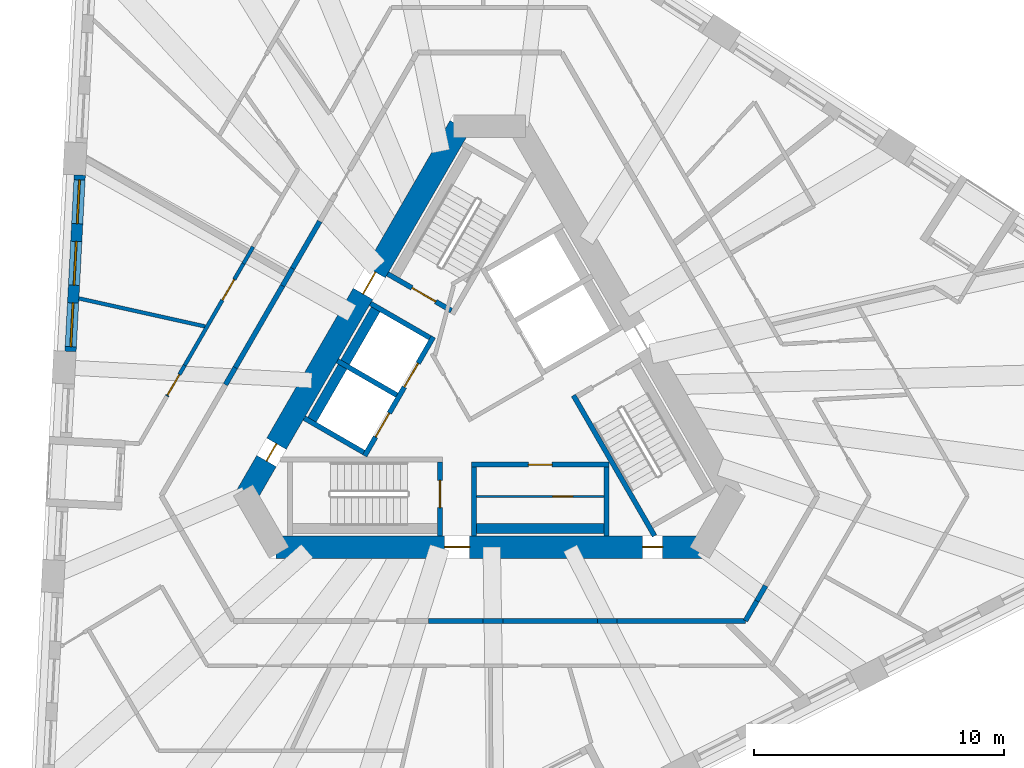
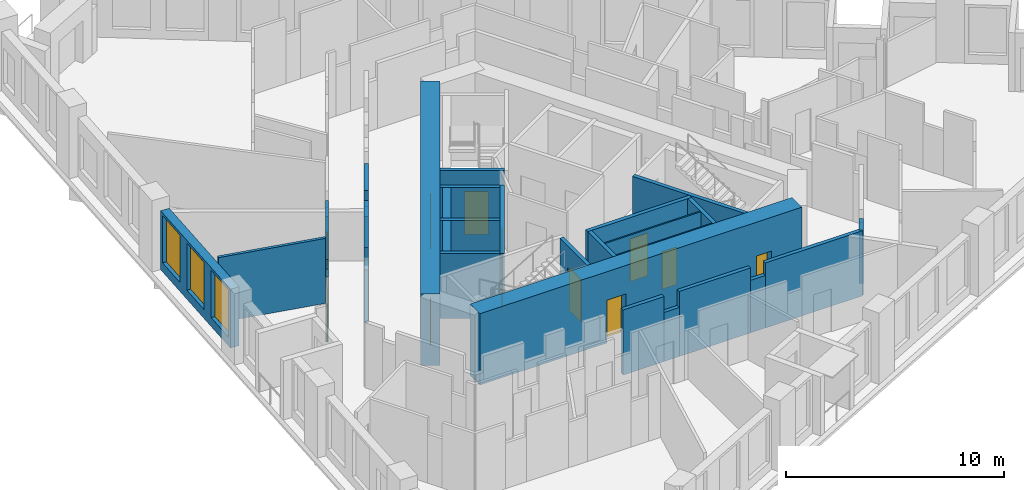
# One storey, part 4 of 13: 31 walls, 12 doors, 3 windows, 15 openings.
"""IFC4 building model written with IfcOpenShell, lengths in metres."""

from ifc_helpers import new_model, si_unit, direction, frame, frame_2d, origin, place, context, subcontext, project, spatial, polyline, rectangle, outline, extrude, material, layer, layer_set, type_object, element, fill, save


model = new_model("IFC4")

# Units and contexts
model_context = context("Model", 3, precision=1e-05, world=origin(), true_north=direction((0.0, 1.0)))
body_context = subcontext(model_context, "Body", "Model", "MODEL_VIEW")
ifc_project = project(units=[si_unit("LENGTHUNIT", "METRE"), si_unit("AREAUNIT", "SQUARE_METRE"), si_unit("VOLUMEUNIT", "CUBIC_METRE"), si_unit("PLANEANGLEUNIT", "RADIAN"), si_unit("MASSUNIT", "GRAM", prefix="KILO")], contexts=[model_context])

# Site, building, storey
site_placement = place(None, origin())
site = spatial("IfcSite", under=ifc_project, at=site_placement, CompositionType="ELEMENT")
building_placement = place(site_placement, origin())
building = spatial("IfcBuilding", under=site, at=building_placement, Name="Tramontana Tower", CompositionType="ELEMENT")
storey_placement = place(building_placement, frame((0.0, 0.0, 153.60009765625)))
storey = spatial("IfcBuildingStorey", under=building, at=storey_placement, Name="L35", CompositionType="ELEMENT", Elevation=153.60009765625)

# Wall, openings, doors
ifc_material_1 = material(Name="Concrete 70 MPa", Category="concrete")
ifc_layer_1 = layer(ifc_material_1, 0.89990234375)
ifc_layer_set_1 = layer_set([ifc_layer_1], Name="Core wall 900 70 MPa")
wall_type_1 = type_object("IfcWallType", Name="Core wall 900 70 MPa", PredefinedType="SHEAR", material=ifc_layer_set_1)
wall_1_placement = place(storey_placement, frame((-1.18359375, 10.550048828125, 0.0), z_axis=(0.0, 0.0, 1.0), x_axis=(-0.500004814304, -0.866022624227, 0.0)))
wall_1 = element("IfcWall", 1, at=wall_1_placement, inside=storey, type_object=wall_type_1, Name="Core wall C1 L35", PredefinedType="SHEAR", context=body_context, shape_type="SweptSolid", body=[
    extrude(rectangle(XDim=17.089599609375, YDim=0.89990234375, at=frame_2d((8.544921875, 0.0))), origin(), (0.0, 0.0, 1.0), 4.0),
])
opening_1_placement = place(wall_1_placement, frame((6.749755859375, 0.0, 0.0)))
opening_1 = element("IfcOpeningElement", 2, at=opening_1_placement, cuts=wall_1, Name="Opening RG1", PredefinedType="OPENING", context=body_context, shape_type="SweptSolid", body=[
    extrude(rectangle(XDim=1.0, YDim=2.39990234375, at=frame_2d((0.5, 1.199951171875))), frame((0.0, 0.4599609375, 0.0), z_axis=(0.0, -1.0, 0.0), x_axis=(1.0, 0.0, 0.0)), (0.0, 0.0, 1.0), 0.919921875),
])
opening_2_placement = place(wall_1_placement, frame((14.678466796875, 0.0, 0.0)))
opening_2 = element("IfcOpeningElement", 3, at=opening_2_placement, cuts=wall_1, Name="Opening PD1", PredefinedType="OPENING", context=body_context, shape_type="SweptSolid", body=[
    extrude(rectangle(XDim=0.800048828125, YDim=2.10009765625, at=frame_2d((0.39990234375, 1.050048828125))), frame((0.0, 0.4599609375, 0.0), z_axis=(0.0, -1.0, 0.0), x_axis=(1.0, 0.0, 0.0)), (0.0, 0.0, 1.0), 0.919921875),
])
ifc_material_2 = material(Name="Painted steel", Category="steel")
door_type_1 = type_object("IfcDoorType", Name="CUPBOARD DOOR 800", OperationType="SINGLE_SWING_LEFT", PredefinedType="DOOR", material=ifc_material_2)
door_1_placement = place(opening_2_placement, origin())
door_1 = element("IfcDoor", 4, at=door_1_placement, inside=storey, type_object=door_type_1, Name="Door PD1", OperationType="SINGLE_SWING_LEFT", OverallHeight=2.10009765625, OverallWidth=0.800048828125, PredefinedType="DOOR", context=body_context, shape_type="SweptSolid", body=[
    extrude(rectangle(XDim=0.800048828125, YDim=2.10009765625, at=frame_2d((0.39990234375, 1.050048828125))), frame((0.0, 0.02490234375, 0.0), z_axis=(0.0, -1.0, 0.0), x_axis=(1.0, 0.0, 0.0)), (0.0, 0.0, 1.0), 0.050048828125),
])
fill(opening_2, door_1)
ifc_material_3 = material(Name="Painted steel", Category="steel")
door_type_2 = type_object("IfcDoorType", Name="RING DOOR 1000", OperationType="SINGLE_SWING_LEFT", PredefinedType="DOOR", material=ifc_material_3)
door_2_placement = place(opening_1_placement, origin())
door_2 = element("IfcDoor", 5, at=door_2_placement, inside=storey, type_object=door_type_2, Name="Door RG1", OperationType="SINGLE_SWING_RIGHT", OverallHeight=2.39990234375, OverallWidth=1.0, PredefinedType="DOOR", context=body_context, shape_type="SweptSolid", body=[
    extrude(rectangle(XDim=1.0, YDim=2.39990234375, at=frame_2d((0.5, 1.199951171875))), frame((0.0, 0.02490234375, 0.0), z_axis=(0.0, -1.0, 0.0), x_axis=(1.0, 0.0, 0.0)), (0.0, 0.0, 1.0), 0.050048828125),
])
fill(opening_1, door_2)

wall_2_placement = place(storey_placement, frame((-8.544921875, -6.300048828125, 0.0), z_axis=(0.0, 0.0, 1.0), x_axis=(1.0, 0.0, 0.0)))
wall_2 = element("IfcWall", 6, at=wall_2_placement, inside=storey, type_object=wall_type_1, Name="Core wall C3 L35", PredefinedType="SHEAR", context=body_context, shape_type="SweptSolid", body=[
    extrude(rectangle(XDim=17.08984375, YDim=0.89990234375, at=frame_2d((8.544921875, 0.0))), origin(), (0.0, 0.0, 1.0), 4.0),
])
opening_3_placement = place(wall_2_placement, frame((6.749755859375, 0.0, 0.0)))
opening_3 = element("IfcOpeningElement", 7, at=opening_3_placement, cuts=wall_2, Name="Opening RG2", PredefinedType="OPENING", context=body_context, shape_type="SweptSolid", body=[
    extrude(rectangle(XDim=1.0, YDim=2.39990234375, at=frame_2d((0.5, 1.199951171875))), frame((0.0, 0.4599609375, 0.0), z_axis=(0.0, -1.0, 0.0), x_axis=(1.0, 0.0, 0.0)), (0.0, 0.0, 1.0), 0.919921875),
])
opening_4_placement = place(wall_2_placement, frame((14.678466796875, 0.0, 0.0)))
opening_4 = element("IfcOpeningElement", 8, at=opening_4_placement, cuts=wall_2, Name="Opening PD2", PredefinedType="OPENING", context=body_context, shape_type="SweptSolid", body=[
    extrude(rectangle(XDim=0.800048828125, YDim=2.10009765625, at=frame_2d((0.39990234375, 1.050048828125))), frame((0.0, 0.4599609375, 0.0), z_axis=(0.0, -1.0, 0.0), x_axis=(1.0, 0.0, 0.0)), (0.0, 0.0, 1.0), 0.919921875),
])
door_3_placement = place(opening_4_placement, origin())
door_3 = element("IfcDoor", 9, at=door_3_placement, inside=storey, type_object=door_type_1, Name="Door PD2", OperationType="SINGLE_SWING_RIGHT", OverallHeight=2.10009765625, OverallWidth=0.800048828125, PredefinedType="DOOR", context=body_context, shape_type="SweptSolid", body=[
    extrude(rectangle(XDim=0.800048828125, YDim=2.10009765625, at=frame_2d((0.39990234375, 1.050048828125))), frame((0.0, 0.02490234375, 0.0), z_axis=(0.0, -1.0, 0.0), x_axis=(1.0, 0.0, 0.0)), (0.0, 0.0, 1.0), 0.050048828125),
])
fill(opening_4, door_3)
door_4_placement = place(opening_3_placement, origin())
door_4 = element("IfcDoor", 10, at=door_4_placement, inside=storey, type_object=door_type_2, Name="Door RG2", OperationType="SINGLE_SWING_LEFT", OverallHeight=2.39990234375, OverallWidth=1.0, PredefinedType="DOOR", context=body_context, shape_type="SweptSolid", body=[
    extrude(rectangle(XDim=1.0, YDim=2.39990234375, at=frame_2d((0.5, 1.199951171875))), frame((0.0, 0.02490234375, 0.0), z_axis=(0.0, -1.0, 0.0), x_axis=(1.0, 0.0, 0.0)), (0.0, 0.0, 1.0), 0.050048828125),
])
fill(opening_3, door_4)

# Walls
ifc_material_4 = material(Name="Blockwork", Category="masonry")
ifc_layer_2 = layer(ifc_material_4, 0.199951171875)
ifc_layer_set_2 = layer_set([ifc_layer_2], Name="ENTRY WALL 200")
wall_type_2 = type_object("IfcWallType", Name="ENTRY WALL 200", PredefinedType="SOLIDWALL", material=ifc_layer_set_2)
wall_3_placement = place(storey_placement, frame((11.056884765625, -7.848876953125, 0.0), z_axis=(0.0, 0.0, 1.0), x_axis=(-0.500012199891, -0.86601836006, 0.0)))
element("IfcWall", 11, at=wall_3_placement, inside=storey, type_object=wall_type_2, Name="Wall v32-ew1-2", PredefinedType="SOLIDWALL", context=body_context, shape_type="SweptSolid", body=[
    extrude(rectangle(XDim=0.705078125, YDim=0.199951171875, at=frame_2d((0.3525390625, 0.0))), origin(), (0.0, 0.0, 1.0), 2.949951171875),
])
wall_4_placement = place(storey_placement, frame((10.704345703125, -8.45947265625, 0.0), z_axis=(0.0, 0.0, 1.0), x_axis=(-0.499907684424, -0.866078695647, 0.0)))
element("IfcWall", 12, at=wall_4_placement, inside=storey, type_object=wall_type_2, Name="Wall v32-ew1-3", PredefinedType="SOLIDWALL", context=body_context, shape_type="SweptSolid", body=[
    extrude(rectangle(XDim=0.912841796875, YDim=0.199951171875, at=frame_2d((0.45654296875, 0.0))), origin(), (0.0, 0.0, 1.0), 3.64990234375),
])
wall_5_placement = place(storey_placement, frame((10.248046875, -9.25, 0.0), z_axis=(0.0, 0.0, 1.0), x_axis=(-1.0, 0.0, 0.0)))
element("IfcWall", 13, at=wall_5_placement, inside=storey, type_object=wall_type_2, Name="Wall v32-ew2-0", PredefinedType="SOLIDWALL", context=body_context, shape_type="SweptSolid", body=[
    extrude(rectangle(XDim=5.14208984375, YDim=0.199951171875, at=frame_2d((2.571044921875, 0.0))), origin(), (0.0, 0.0, 1.0), 3.64990234375),
])
wall_6_placement = place(storey_placement, frame((5.10595703125, -9.25, 0.0), z_axis=(0.0, 0.0, 1.0), x_axis=(-1.0, 0.0, 0.0)))
element("IfcWall", 14, at=wall_6_placement, inside=storey, type_object=wall_type_2, Name="Wall v32-ew2-1", PredefinedType="SOLIDWALL", context=body_context, shape_type="SweptSolid", body=[
    extrude(rectangle(XDim=0.78564453125, YDim=0.199951171875, at=frame_2d((0.392822265625, 0.0))), origin(), (0.0, 0.0, 1.0), 2.949951171875),
])
wall_7_placement = place(storey_placement, frame((4.3203125, -9.25, 0.0), z_axis=(0.0, 0.0, 1.0), x_axis=(-1.0, 0.0, 0.0)))
element("IfcWall", 15, at=wall_7_placement, inside=storey, type_object=wall_type_2, Name="Wall v32-ew2-2", PredefinedType="SOLIDWALL", context=body_context, shape_type="SweptSolid", body=[
    extrude(rectangle(XDim=3.783203125, YDim=0.199951171875, at=frame_2d((1.8916015625, 0.0))), origin(), (0.0, 0.0, 1.0), 3.64990234375),
])
wall_8_placement = place(storey_placement, frame((0.537109375, -9.25, 0.0), z_axis=(0.0, 0.0, 1.0), x_axis=(-1.0, 0.0, 0.0)))
element("IfcWall", 16, at=wall_8_placement, inside=storey, type_object=wall_type_2, Name="Wall v32-ew2-3", PredefinedType="SOLIDWALL", context=body_context, shape_type="SweptSolid", body=[
    extrude(rectangle(XDim=0.800048828125, YDim=0.199951171875, at=frame_2d((0.39990234375, 0.0))), origin(), (0.0, 0.0, 1.0), 2.75),
])
wall_9_placement = place(storey_placement, frame((-0.262939453125, -9.25, 0.0), z_axis=(0.0, 0.0, 1.0), x_axis=(-1.0, 0.0, 0.0)))
element("IfcWall", 17, at=wall_9_placement, inside=storey, type_object=wall_type_2, Name="Wall v32-ew2-4", PredefinedType="SOLIDWALL", context=body_context, shape_type="SweptSolid", body=[
    extrude(rectangle(XDim=2.17822265625, YDim=0.199951171875, at=frame_2d((1.089111328125, 0.0))), origin(), (0.0, 0.0, 1.0), 3.64990234375),
])
wall_10_placement = place(storey_placement, frame((-10.563720703125, 0.203125, 0.0), z_axis=(0.0, 0.0, 1.0), x_axis=(0.499982474044, 0.866035522163, 0.0)))
element("IfcWall", 18, at=wall_10_placement, inside=storey, type_object=wall_type_2, Name="Wall v32-ew4-1", PredefinedType="SOLIDWALL", context=body_context, shape_type="SweptSolid", body=[
    extrude(rectangle(XDim=0.78564453125, YDim=0.199951171875, at=frame_2d((0.392822265625, 0.0))), origin(), (0.0, 0.0, 1.0), 2.949951171875),
])
wall_11_placement = place(storey_placement, frame((-10.1708984375, 0.883544921875, 0.0), z_axis=(0.0, 0.0, 1.0), x_axis=(0.499998034377, 0.866026538634, 0.0)))
element("IfcWall", 19, at=wall_11_placement, inside=storey, type_object=wall_type_2, Name="Wall v32-ew4-2", PredefinedType="SOLIDWALL", context=body_context, shape_type="SweptSolid", body=[
    extrude(rectangle(XDim=3.783203125, YDim=0.199951171875, at=frame_2d((1.8916015625, 0.0))), origin(), (0.0, 0.0, 1.0), 3.64990234375),
])
wall_12_placement = place(storey_placement, frame((-8.279296875, 4.159912109375, 0.0), z_axis=(0.0, 0.0, 1.0), x_axis=(0.500109828528, 0.865961984968, 0.0)))
element("IfcWall", 20, at=wall_12_placement, inside=storey, type_object=wall_type_2, Name="Wall v32-ew4-3", PredefinedType="SOLIDWALL", context=body_context, shape_type="SweptSolid", body=[
    extrude(rectangle(XDim=0.800048828125, YDim=0.199951171875, at=frame_2d((0.39990234375, 0.0))), origin(), (0.0, 0.0, 1.0), 2.75),
])
wall_13_placement = place(storey_placement, frame((-7.879150390625, 4.852783203125, 0.0), z_axis=(0.0, 0.0, 1.0), x_axis=(0.499948868167, 0.866054922749, 0.0)))
element("IfcWall", 21, at=wall_13_placement, inside=storey, type_object=wall_type_2, Name="Wall v32-ew4-4", PredefinedType="SOLIDWALL", context=body_context, shape_type="SweptSolid", body=[
    extrude(rectangle(XDim=2.177978515625, YDim=0.199951171875, at=frame_2d((1.0888671875, 0.0))), origin(), (0.0, 0.0, 1.0), 3.64990234375),
])

# Wall, openings, windows
ifc_material_5 = material(Name="Precast concrete 60 MPa", Category="concrete")
ifc_layer_3 = layer(ifc_material_5, 0.449951171875)
ifc_layer_set_3 = layer_set([ifc_layer_3], Name="Precast concrete 60 MPa, 450 mm")
wall_type_3 = type_object("IfcWallType", Name="EW1 Stone-faced precast wall 450", PredefinedType="SOLIDWALL", material=ifc_layer_set_3)
wall_14_placement = place(storey_placement, frame((-16.397705078125, 8.591552734375, 0.0), z_axis=(0.0, 0.0, 1.0), x_axis=(-0.052337766399, -0.998629439887, 0.0)))
wall_14 = element("IfcWall", 22, at=wall_14_placement, inside=storey, type_object=wall_type_3, Name="External wall L35 face 0 bay 3", PredefinedType="SOLIDWALL", context=body_context, shape_type="SweptSolid", body=[
    extrude(rectangle(XDim=7.07177734375, YDim=0.449951171875, at=frame_2d((3.535888671875, 0.0))), origin(), (0.0, 0.0, 1.0), 3.2998046875),
])
opening_5_placement = place(wall_14_placement, frame((0.1953125, 0.0, 0.5)))
opening_5 = element("IfcOpeningElement", 23, at=opening_5_placement, cuts=wall_14, Name="Opening M2", PredefinedType="OPENING", context=body_context, shape_type="SweptSolid", body=[
    extrude(rectangle(XDim=1.75, YDim=2.64990234375, at=frame_2d((0.875, 1.324951171875))), frame((0.0, 0.23486328125, 0.0), z_axis=(0.0, -1.0, 0.0), x_axis=(1.0, 0.0, 0.0)), (0.0, 0.0, 1.0), 0.469970703125),
])
opening_6_placement = place(wall_14_placement, frame((2.660888671875, 0.0, 0.5)))
opening_6 = element("IfcOpeningElement", 24, at=opening_6_placement, cuts=wall_14, Name="Opening M2", PredefinedType="OPENING", context=body_context, shape_type="SweptSolid", body=[
    extrude(rectangle(XDim=1.75, YDim=2.64990234375, at=frame_2d((0.875, 1.324951171875))), frame((0.0, 0.23486328125, 0.0), z_axis=(0.0, -1.0, 0.0), x_axis=(1.0, 0.0, 0.0)), (0.0, 0.0, 1.0), 0.469970703125),
])
opening_7_placement = place(wall_14_placement, frame((5.126220703125, 0.0, 0.5)))
opening_7 = element("IfcOpeningElement", 25, at=opening_7_placement, cuts=wall_14, Name="Opening M2", PredefinedType="OPENING", context=body_context, shape_type="SweptSolid", body=[
    extrude(rectangle(XDim=1.75, YDim=2.64990234375, at=frame_2d((0.875, 1.324951171875))), frame((0.0, 0.23486328125, 0.0), z_axis=(0.0, -1.0, 0.0), x_axis=(1.0, 0.0, 0.0)), (0.0, 0.0, 1.0), 0.469970703125),
])
ifc_material_6 = material(Name="Aluminum frame, double glazing unit", Category="aluminium")
window_type = type_object("IfcWindowType", Name="M2 Window 1.75 x 2.65", PartitioningType="SINGLE_PANEL", PredefinedType="WINDOW", material=ifc_material_6)
window_1_placement = place(opening_5_placement, origin())
window_1 = element("IfcWindow", 26, at=window_1_placement, inside=storey, type_object=window_type, Name="Window M2 L35 face 0 module 7", OverallHeight=2.64990234375, OverallWidth=1.75, PartitioningType="SINGLE_PANEL", PredefinedType="WINDOW", context=body_context, shape_type="SweptSolid", body=[
    extrude(rectangle(XDim=1.75, YDim=2.64990234375, at=frame_2d((0.875, 1.324951171875))), frame((0.0, 0.030029296875, 0.0), z_axis=(0.0, -1.0, 0.0), x_axis=(1.0, 0.0, 0.0)), (0.0, 0.0, 1.0), 0.06005859375),
])
fill(opening_5, window_1)
window_2_placement = place(opening_6_placement, origin())
window_2 = element("IfcWindow", 27, at=window_2_placement, inside=storey, type_object=window_type, Name="Window M2 L35 face 0 module 8", OverallHeight=2.64990234375, OverallWidth=1.75, PartitioningType="SINGLE_PANEL", PredefinedType="WINDOW", context=body_context, shape_type="SweptSolid", body=[
    extrude(rectangle(XDim=1.75, YDim=2.64990234375, at=frame_2d((0.875, 1.324951171875))), frame((0.0, 0.030029296875, 0.0), z_axis=(0.0, -1.0, 0.0), x_axis=(1.0, 0.0, 0.0)), (0.0, 0.0, 1.0), 0.06005859375),
])
fill(opening_6, window_2)
window_3_placement = place(opening_7_placement, origin())
window_3 = element("IfcWindow", 28, at=window_3_placement, inside=storey, type_object=window_type, Name="Window M2 L35 face 0 module 9", OverallHeight=2.64990234375, OverallWidth=1.75, PartitioningType="SINGLE_PANEL", PredefinedType="WINDOW", context=body_context, shape_type="SweptSolid", body=[
    extrude(rectangle(XDim=1.75, YDim=2.64990234375, at=frame_2d((0.875, 1.324951171875))), frame((0.0, 0.030029296875, 0.0), z_axis=(0.0, -1.0, 0.0), x_axis=(1.0, 0.0, 0.0)), (0.0, 0.0, 1.0), 0.06005859375),
])
fill(opening_7, window_3)

# Wall
ifc_material_7 = material(Name="Gypsum board partition")
ifc_layer_4 = layer(ifc_material_7, 0.14990234375)
ifc_layer_set_4 = layer_set([ifc_layer_4], Name="PARTITION 150")
wall_type_4 = type_object("IfcWallType", Name="PARTITION 150", PredefinedType="PARTITIONING", material=ifc_layer_set_4)
wall_15_placement = place(storey_placement, frame((-16.43115234375, 3.655517578125, 0.0), z_axis=(0.0, 0.0, 1.0), x_axis=(0.976139265243, -0.217145423278, 0.0)))
element("IfcWall", 29, at=wall_15_placement, inside=storey, type_object=wall_type_4, Name="Wall v32-pw00", PredefinedType="PARTITIONING", context=body_context, shape_type="SweptSolid", body=[
    extrude(rectangle(XDim=5.170654296875, YDim=0.14990234375, at=frame_2d((2.58544921875, 0.0))), origin(), (0.0, 0.0, 1.0), 3.64990234375),
])

# Wall, opening, door
wall_16_placement = place(storey_placement, frame((-12.908447265625, -0.258056640625, 0.0), z_axis=(0.0, 0.0, 1.0), x_axis=(0.500023749849, 0.866011691368, 0.0)))
wall_16 = element("IfcWall", 30, at=wall_16_placement, inside=storey, type_object=wall_type_4, Name="Wall v32-pw02-1", PredefinedType="PARTITIONING", context=body_context, shape_type="SweptSolid", body=[
    extrude(outline(polyline([(0.0, 0.0), (1.42626953125, 0.0), (1.426025390625, 2.949951171875), (0.66845703125, 2.949951171875), (0.66845703125, 3.64990234375), (0.0, 3.64990234375), (0.0, 0.0)])), frame((0.0, 0.074951171875, 0.0), z_axis=(0.0, -1.0, 0.0), x_axis=(1.0, 0.0, 0.0)), (0.0, 0.0, 1.0), 0.14990234375),
])
opening_8_placement = place(wall_16_placement, frame((0.050048828125, 0.0, 0.0)))
opening_8 = element("IfcOpeningElement", 31, at=opening_8_placement, cuts=wall_16, Name="Opening B3C-10", PredefinedType="OPENING", context=body_context, shape_type="SweptSolid", body=[
    extrude(rectangle(XDim=0.949951171875, YDim=2.39990234375, at=frame_2d((0.47509765625, 1.199951171875))), frame((0.0, 0.0849609375, 0.0), z_axis=(0.0, -1.0, 0.0), x_axis=(1.0, 0.0, 0.0)), (0.0, 0.0, 1.0), 0.169921875),
])
ifc_material_8 = material(Name="Painted timber", Category="wood")
door_type_3 = type_object("IfcDoorType", Name="DOOR ROOM 950", OperationType="SINGLE_SWING_LEFT", PredefinedType="DOOR", material=ifc_material_8)
door_5_placement = place(opening_8_placement, origin())
door_5 = element("IfcDoor", 32, at=door_5_placement, inside=storey, type_object=door_type_3, Name="Door B3C-10", OperationType="SINGLE_SWING_RIGHT", OverallHeight=2.39990234375, OverallWidth=0.949951171875, PredefinedType="DOOR", context=body_context, shape_type="SweptSolid", body=[
    extrude(rectangle(XDim=0.949951171875, YDim=2.39990234375, at=frame_2d((0.47509765625, 1.199951171875))), frame((0.0, 0.02490234375, 0.0), z_axis=(0.0, -1.0, 0.0), x_axis=(1.0, 0.0, 0.0)), (0.0, 0.0, 1.0), 0.050048828125),
])
fill(opening_8, door_5)

wall_17_placement = place(storey_placement, frame((-12.1953125, 0.97705078125, 0.0), z_axis=(0.0, 0.0, 1.0), x_axis=(0.499993726502, 0.86602902576, 0.0)))
wall_17 = element("IfcWall", 33, at=wall_17_placement, inside=storey, type_object=wall_type_4, Name="Wall v32-pw02-2", PredefinedType="PARTITIONING", context=body_context, shape_type="SweptSolid", body=[
    extrude(rectangle(XDim=4.7001953125, YDim=0.14990234375, at=frame_2d((2.35009765625, 0.0))), origin(), (0.0, 0.0, 1.0), 3.64990234375),
])
opening_9_placement = place(wall_17_placement, frame((3.014404296875, 0.0, 0.0)))
opening_9 = element("IfcOpeningElement", 34, at=opening_9_placement, cuts=wall_17, Name="Opening B3C-11", PredefinedType="OPENING", context=body_context, shape_type="SweptSolid", body=[
    extrude(rectangle(XDim=0.949951171875, YDim=2.39990234375, at=frame_2d((0.47509765625, 1.199951171875))), frame((0.0, 0.0849609375, 0.0), z_axis=(0.0, -1.0, 0.0), x_axis=(1.0, 0.0, 0.0)), (0.0, 0.0, 1.0), 0.169921875),
])
door_6_placement = place(opening_9_placement, origin())
door_6 = element("IfcDoor", 35, at=door_6_placement, inside=storey, type_object=door_type_3, Name="Door B3C-11", OperationType="SINGLE_SWING_LEFT", OverallHeight=2.39990234375, OverallWidth=0.949951171875, PredefinedType="DOOR", context=body_context, shape_type="SweptSolid", body=[
    extrude(rectangle(XDim=0.949951171875, YDim=2.39990234375, at=frame_2d((0.47509765625, 1.199951171875))), frame((0.0, 0.02490234375, 0.0), z_axis=(0.0, -1.0, 0.0), x_axis=(1.0, 0.0, 0.0)), (0.0, 0.0, 1.0), 0.050048828125),
])
fill(opening_9, door_6)

# Wall
wall_18_placement = place(storey_placement, frame((-9.84521484375, 5.047607421875, 0.0), z_axis=(0.0, 0.0, 1.0), x_axis=(0.499967891604, 0.866043940782, 0.0)))
element("IfcWall", 36, at=wall_18_placement, inside=storey, type_object=wall_type_4, Name="Wall v32-pw02-3", PredefinedType="PARTITIONING", context=body_context, shape_type="SweptSolid", body=[
    extrude(rectangle(XDim=0.77490234375, YDim=0.14990234375, at=frame_2d((0.387451171875, 0.0))), origin(), (0.0, 0.0, 1.0), 2.75),
])

# Wall, opening, door
ifc_material_9 = material(Name="Gypsum board partition")
ifc_layer_5 = layer(ifc_material_9, 0.080078125)
ifc_layer_set_5 = layer_set([ifc_layer_5], Name="PARTITION 80")
wall_type_5 = type_object("IfcWallType", Name="PARTITION 80", PredefinedType="PARTITIONING", material=ifc_layer_set_5)
wall_19_placement = place(storey_placement, frame((4.590087890625, -4.27490234375, 0.0), z_axis=(0.0, 0.0, 1.0), x_axis=(-1.0, 0.0, 0.0)))
wall_19 = element("IfcWall", 37, at=wall_19_placement, inside=storey, type_object=wall_type_5, Name="Wall row1-split", PredefinedType="PARTITIONING", context=body_context, shape_type="SweptSolid", body=[
    extrude(rectangle(XDim=5.10009765625, YDim=0.080078125, at=frame_2d((2.550048828125, 0.0))), origin(), (0.0, 0.0, 1.0), 3.64990234375),
])
opening_10_placement = place(wall_19_placement, frame((1.25, 0.0, 0.0)))
opening_10 = element("IfcOpeningElement", 38, at=opening_10_placement, cuts=wall_19, Name="Opening RD-1B", PredefinedType="OPENING", context=body_context, shape_type="SweptSolid", body=[
    extrude(rectangle(XDim=0.800048828125, YDim=2.10009765625, at=frame_2d((0.39990234375, 1.050048828125))), frame((0.0, 0.050048828125, 0.0), z_axis=(0.0, -1.0, 0.0), x_axis=(1.0, 0.0, 0.0)), (0.0, 0.0, 1.0), 0.10009765625),
])
door_7_placement = place(opening_10_placement, origin())
door_7 = element("IfcDoor", 39, at=door_7_placement, inside=storey, type_object=door_type_1, Name="Door RD-1B", OperationType="SINGLE_SWING_RIGHT", OverallHeight=2.10009765625, OverallWidth=0.800048828125, PredefinedType="DOOR", context=body_context, shape_type="SweptSolid", body=[
    extrude(rectangle(XDim=0.800048828125, YDim=2.10009765625, at=frame_2d((0.39990234375, 1.050048828125))), frame((0.0, 0.02490234375, 0.0), z_axis=(0.0, -1.0, 0.0), x_axis=(1.0, 0.0, 0.0)), (0.0, 0.0, 1.0), 0.050048828125),
])
fill(opening_10, door_7)

# Walls
ifc_material_10 = material(Name="Concrete 70 MPa", Category="concrete")
ifc_layer_6 = layer(ifc_material_10, 0.39990234375)
ifc_layer_set_6 = layer_set([ifc_layer_6], Name="Concrete 70 MPa, 400 mm")
wall_type_6 = type_object("IfcWallType", Name="RC SHAFT BACK WALL 400", PredefinedType="SOLIDWALL", material=ifc_layer_set_6)
for number, where, z_axis, x_axis, name in (
    (40, (-4.451416015625, 3.389892578125, 0.0), (0.0, 0.0, 1.0), (-0.499996545922, -0.866027397988, 0.0), "Wall row0-back"),
    (41, (-0.7099609375, -5.550048828125, 0.0), (0.0, 0.0, 1.0), (1.0, 0.0, 0.0), "Wall row1-back"),
):
    element("IfcWall", number, at=place(storey_placement, frame(where, z_axis=z_axis, x_axis=x_axis)), inside=storey, type_object=wall_type_6, Name=name, PredefinedType="SOLIDWALL", context=body_context, shape_type="SweptSolid", body=[
        extrude(rectangle(XDim=5.5, YDim=0.39990234375, at=frame_2d((2.75, 0.0))), origin(), (0.0, 0.0, 1.0), 3.64990234375),
    ])

# Wall, opening, door
ifc_material_11 = material(Name="Concrete 70 MPa", Category="concrete")
ifc_layer_7 = layer(ifc_material_11, 0.199951171875)
ifc_layer_set_7 = layer_set([ifc_layer_7], Name="Concrete 70 MPa, 200 mm")
wall_type_7 = type_object("IfcWallType", Name="RC STAIR AND SHAFT WALL 200", PredefinedType="SOLIDWALL", material=ifc_layer_set_7)
wall_20_placement = place(storey_placement, frame((-1.521484375, 3.164794921875, 0.0), z_axis=(0.0, 0.0, 1.0), x_axis=(-0.866039495442, 0.49997559174, 0.0)))
wall_20 = element("IfcWall", 42, at=wall_20_placement, inside=storey, type_object=wall_type_7, Name="Wall st1-near", PredefinedType="SOLIDWALL", context=body_context, shape_type="SweptSolid", body=[
    extrude(rectangle(XDim=2.949951171875, YDim=0.199951171875, at=frame_2d((1.47509765625, 0.0))), origin(), (0.0, 0.0, 1.0), 3.64990234375),
])
opening_11_placement = place(wall_20_placement, frame((0.72509765625, 0.0, 0.0)))
opening_11 = element("IfcOpeningElement", 43, at=opening_11_placement, cuts=wall_20, Name="Opening SD1", PredefinedType="OPENING", context=body_context, shape_type="SweptSolid", body=[
    extrude(rectangle(XDim=1.10009765625, YDim=2.39990234375, at=frame_2d((0.550048828125, 1.199951171875))), frame((0.0, 0.10986328125, 0.0), z_axis=(0.0, -1.0, 0.0), x_axis=(1.0, 0.0, 0.0)), (0.0, 0.0, 1.0), 0.219970703125),
])
ifc_material_12 = material(Name="Painted steel", Category="steel")
door_type_4 = type_object("IfcDoorType", Name="STAIR DOOR 1100", OperationType="SINGLE_SWING_LEFT", PredefinedType="DOOR", material=ifc_material_12)
door_8_placement = place(opening_11_placement, origin())
door_8 = element("IfcDoor", 44, at=door_8_placement, inside=storey, type_object=door_type_4, Name="Door SD1", OperationType="SINGLE_SWING_RIGHT", OverallHeight=2.39990234375, OverallWidth=1.10009765625, PredefinedType="DOOR", context=body_context, shape_type="SweptSolid", body=[
    extrude(rectangle(XDim=1.10009765625, YDim=2.39990234375, at=frame_2d((0.550048828125, 1.199951171875))), frame((0.0, 0.02490234375, 0.0), z_axis=(0.0, -1.0, 0.0), x_axis=(1.0, 0.0, 0.0)), (0.0, 0.0, 1.0), 0.050048828125),
])
fill(opening_11, door_8)

wall_21_placement = place(storey_placement, frame((-1.97998046875, -2.89990234375, 0.0), z_axis=(0.0, 0.0, 1.0), x_axis=(0.0, -1.0, 0.0)))
wall_21 = element("IfcWall", 45, at=wall_21_placement, inside=storey, type_object=wall_type_7, Name="Wall st2-near", PredefinedType="SOLIDWALL", context=body_context, shape_type="SweptSolid", body=[
    extrude(rectangle(XDim=2.9501953125, YDim=0.199951171875, at=frame_2d((1.47509765625, 0.0))), origin(), (0.0, 0.0, 1.0), 3.64990234375),
])
opening_12_placement = place(wall_21_placement, frame((0.72509765625, 0.0, 0.0)))
opening_12 = element("IfcOpeningElement", 46, at=opening_12_placement, cuts=wall_21, Name="Opening SD2", PredefinedType="OPENING", context=body_context, shape_type="SweptSolid", body=[
    extrude(rectangle(XDim=1.10009765625, YDim=2.39990234375, at=frame_2d((0.550048828125, 1.199951171875))), frame((0.0, 0.10986328125, 0.0), z_axis=(0.0, -1.0, 0.0), x_axis=(1.0, 0.0, 0.0)), (0.0, 0.0, 1.0), 0.219970703125),
])
door_9_placement = place(opening_12_placement, origin())
door_9 = element("IfcDoor", 47, at=door_9_placement, inside=storey, type_object=door_type_4, Name="Door SD2", OperationType="SINGLE_SWING_LEFT", OverallHeight=2.39990234375, OverallWidth=1.10009765625, PredefinedType="DOOR", context=body_context, shape_type="SweptSolid", body=[
    extrude(rectangle(XDim=1.10009765625, YDim=2.39990234375, at=frame_2d((0.550048828125, 1.199951171875))), frame((0.0, 0.02490234375, 0.0), z_axis=(0.0, -1.0, 0.0), x_axis=(1.0, 0.0, 0.0)), (0.0, 0.0, 1.0), 0.050048828125),
])
fill(opening_12, door_9)

# Wall
wall_22_placement = place(storey_placement, frame((6.610595703125, -5.85009765625, 0.0), z_axis=(0.0, 0.0, 1.0), x_axis=(-0.499965531574, 0.866045303225, 0.0)))
element("IfcWall", 48, at=wall_22_placement, inside=storey, type_object=wall_type_7, Name="Wall st3-front", PredefinedType="SOLIDWALL", context=body_context, shape_type="SweptSolid", body=[
    extrude(rectangle(XDim=6.49169921875, YDim=0.199951171875, at=frame_2d((3.245849609375, 0.0))), origin(), (0.0, 0.0, 1.0), 3.64990234375),
])

# Wall, openings, doors
wall_23_placement = place(storey_placement, frame((-2.2431640625, 2.114990234375, 0.0), z_axis=(0.0, 0.0, 1.0), x_axis=(-0.499996545922, -0.866027397988, 0.0)))
wall_23 = element("IfcWall", 49, at=wall_23_placement, inside=storey, type_object=wall_type_7, Name="Wall row0-front", PredefinedType="SOLIDWALL", context=body_context, shape_type="SweptSolid", body=[
    extrude(rectangle(XDim=5.5, YDim=0.199951171875, at=frame_2d((2.75, 0.0))), origin(), (0.0, 0.0, 1.0), 3.64990234375),
])
opening_13_placement = place(wall_23_placement, frame((1.219970703125, 0.0, 0.0)))
opening_13 = element("IfcOpeningElement", 50, at=opening_13_placement, cuts=wall_23, Name="Opening LD-P1", PredefinedType="OPENING", context=body_context, shape_type="SweptSolid", body=[
    extrude(rectangle(XDim=1.10009765625, YDim=2.10009765625, at=frame_2d((0.550048828125, 1.050048828125))), frame((0.0, 0.10986328125, 0.0), z_axis=(0.0, -1.0, 0.0), x_axis=(1.0, 0.0, 0.0)), (0.0, 0.0, 1.0), 0.219970703125),
])
opening_14_placement = place(wall_23_placement, frame((3.52490234375, 0.0, 0.0)))
opening_14 = element("IfcOpeningElement", 51, at=opening_14_placement, cuts=wall_23, Name="Opening LD-P2", PredefinedType="OPENING", context=body_context, shape_type="SweptSolid", body=[
    extrude(rectangle(XDim=1.10009765625, YDim=2.10009765625, at=frame_2d((0.550048828125, 1.050048828125))), frame((0.0, 0.10986328125, 0.0), z_axis=(0.0, -1.0, 0.0), x_axis=(1.0, 0.0, 0.0)), (0.0, 0.0, 1.0), 0.219970703125),
])
ifc_material_13 = material(Name="Brushed steel", Category="steel")
door_type_5 = type_object("IfcDoorType", Name="LANDING DOOR 1100", OperationType="SINGLE_SWING_LEFT", PredefinedType="DOOR", material=ifc_material_13)
door_10_placement = place(opening_13_placement, origin())
door_10 = element("IfcDoor", 52, at=door_10_placement, inside=storey, type_object=door_type_5, Name="Door LD-P1", OperationType="SLIDING_TO_LEFT", OverallHeight=2.10009765625, OverallWidth=1.10009765625, PredefinedType="DOOR", context=body_context, shape_type="SweptSolid", body=[
    extrude(rectangle(XDim=1.10009765625, YDim=2.10009765625, at=frame_2d((0.550048828125, 1.050048828125))), frame((0.0, 0.02490234375, 0.0), z_axis=(0.0, -1.0, 0.0), x_axis=(1.0, 0.0, 0.0)), (0.0, 0.0, 1.0), 0.050048828125),
])
fill(opening_13, door_10)
door_11_placement = place(opening_14_placement, origin())
door_11 = element("IfcDoor", 53, at=door_11_placement, inside=storey, type_object=door_type_5, Name="Door LD-P2", OperationType="SLIDING_TO_RIGHT", OverallHeight=2.10009765625, OverallWidth=1.10009765625, PredefinedType="DOOR", context=body_context, shape_type="SweptSolid", body=[
    extrude(rectangle(XDim=1.10009765625, YDim=2.10009765625, at=frame_2d((0.550048828125, 1.050048828125))), frame((0.0, 0.02490234375, 0.0), z_axis=(0.0, -1.0, 0.0), x_axis=(1.0, 0.0, 0.0)), (0.0, 0.0, 1.0), 0.050048828125),
])
fill(opening_14, door_11)

# Walls
for number, where, z_axis, x_axis, name in (
    (54, (-2.379638671875, 2.078369140625, 0.0), (0.0, 0.0, 1.0), (-0.866027397988, 0.499996545922, 0.0), "Wall row0-side0"),
    (55, (-3.70458984375, -0.216796875, 0.0), (0.0, 0.0, 1.0), (-0.866027397988, 0.499996545922, 0.0), "Wall row0-side1"),
):
    element("IfcWall", number, at=place(storey_placement, frame(where, z_axis=z_axis, x_axis=x_axis)), inside=storey, type_object=wall_type_7, Name=name, PredefinedType="SOLIDWALL", context=body_context, shape_type="SweptSolid", body=[
        extrude(rectangle(XDim=2.75, YDim=0.199951171875, at=frame_2d((1.375, 0.0))), origin(), (0.0, 0.0, 1.0), 3.64990234375),
    ])
wall_24_placement = place(storey_placement, frame((-5.02978515625, -2.51171875, 0.0), z_axis=(0.0, 0.0, 1.0), x_axis=(-0.866005201286, 0.500034990121, 0.0)))
element("IfcWall", 56, at=wall_24_placement, inside=storey, type_object=wall_type_7, Name="Wall row0-side2", PredefinedType="SOLIDWALL", context=body_context, shape_type="SweptSolid", body=[
    extrude(rectangle(XDim=2.749755859375, YDim=0.199951171875, at=frame_2d((1.375, 0.0))), origin(), (0.0, 0.0, 1.0), 3.64990234375),
])

# Wall, opening, door
wall_25_placement = place(storey_placement, frame((4.7900390625, -3.0, 0.0), z_axis=(0.0, 0.0, 1.0), x_axis=(-1.0, 0.0, 0.0)))
wall_25 = element("IfcWall", 57, at=wall_25_placement, inside=storey, type_object=wall_type_7, Name="Wall row1-front", PredefinedType="SOLIDWALL", context=body_context, shape_type="SweptSolid", body=[
    extrude(rectangle(XDim=5.5, YDim=0.199951171875, at=frame_2d((2.75, 0.0))), origin(), (0.0, 0.0, 1.0), 3.64990234375),
])
opening_15_placement = place(wall_25_placement, frame((2.27490234375, 0.0, 0.0)))
opening_15 = element("IfcOpeningElement", 58, at=opening_15_placement, cuts=wall_25, Name="Opening RD-1A", PredefinedType="OPENING", context=body_context, shape_type="SweptSolid", body=[
    extrude(rectangle(XDim=0.949951171875, YDim=2.39990234375, at=frame_2d((0.47509765625, 1.199951171875))), frame((0.0, 0.10986328125, 0.0), z_axis=(0.0, -1.0, 0.0), x_axis=(1.0, 0.0, 0.0)), (0.0, 0.0, 1.0), 0.219970703125),
])
door_12_placement = place(opening_15_placement, origin())
door_12 = element("IfcDoor", 59, at=door_12_placement, inside=storey, type_object=door_type_3, Name="Door RD-1A", OperationType="SINGLE_SWING_LEFT", OverallHeight=2.39990234375, OverallWidth=0.949951171875, PredefinedType="DOOR", context=body_context, shape_type="SweptSolid", body=[
    extrude(rectangle(XDim=0.949951171875, YDim=2.39990234375, at=frame_2d((0.47509765625, 1.199951171875))), frame((0.0, 0.02490234375, 0.0), z_axis=(0.0, -1.0, 0.0), x_axis=(1.0, 0.0, 0.0)), (0.0, 0.0, 1.0), 0.050048828125),
])
fill(opening_15, door_12)

# Walls
for number, where, z_axis, x_axis, name in (
    (60, (-0.610107421875, -3.10009765625, 0.0), (0.0, 0.0, 1.0), (0.0, -1.0, 0.0), "Wall row1-side0"),
    (61, (4.68994140625, -3.10009765625, 0.0), (0.0, 0.0, 1.0), (0.0, -1.0, 0.0), "Wall row1-side2"),
):
    element("IfcWall", number, at=place(storey_placement, frame(where, z_axis=z_axis, x_axis=x_axis)), inside=storey, type_object=wall_type_7, Name=name, PredefinedType="SOLIDWALL", context=body_context, shape_type="SweptSolid", body=[
        extrude(rectangle(XDim=2.75, YDim=0.199951171875, at=frame_2d((1.375, 0.0))), origin(), (0.0, 0.0, 1.0), 3.64990234375),
    ])

save(model, "model.ifc")
